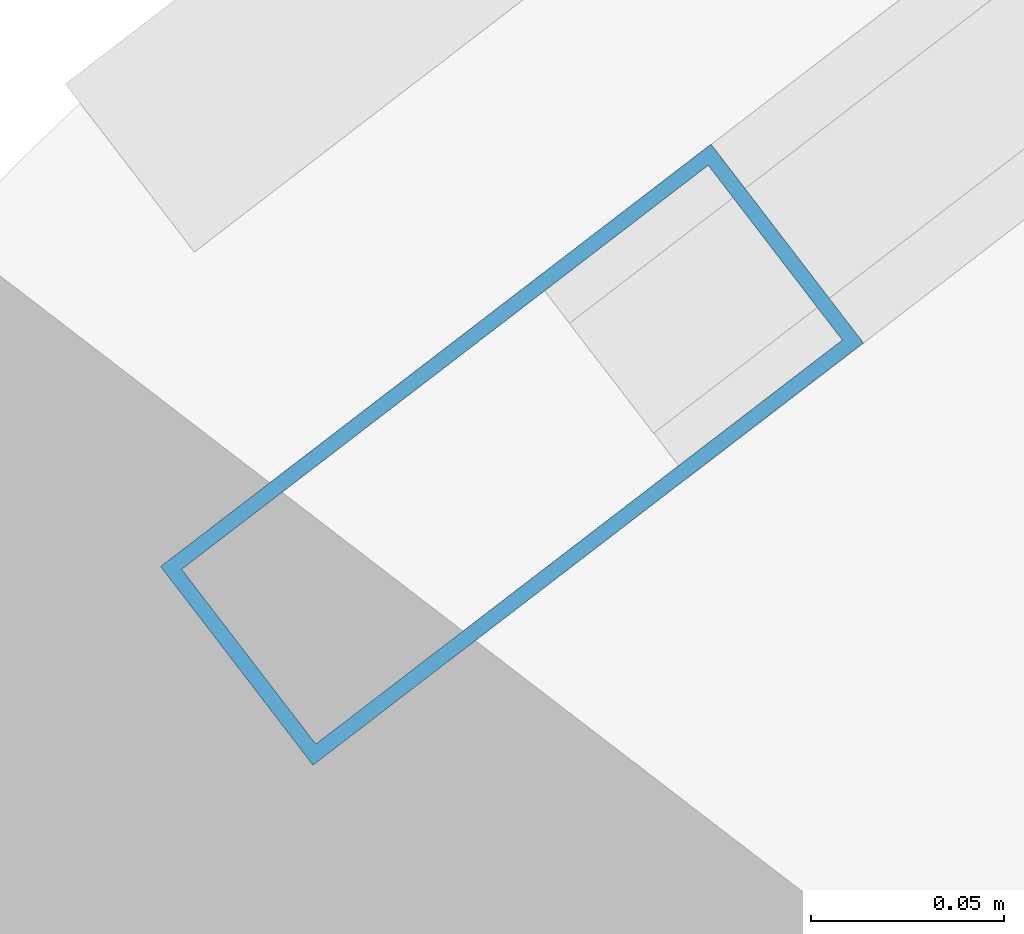
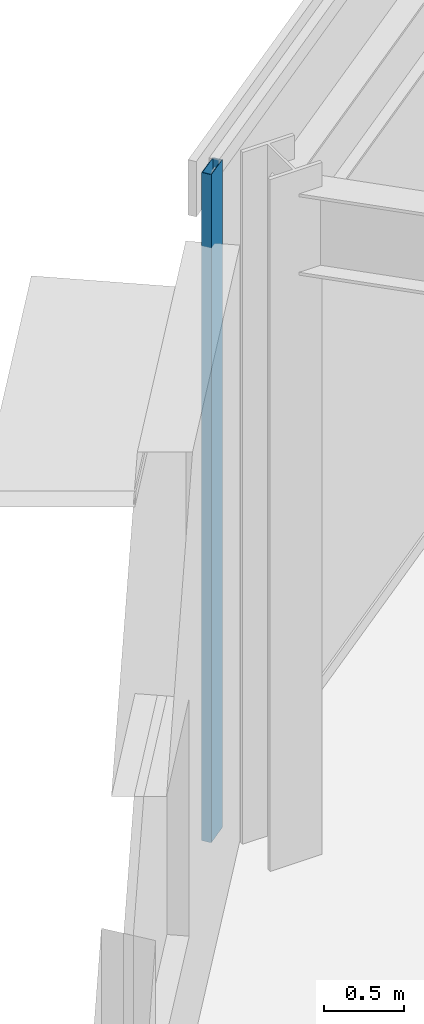
# One storey, part 69 of 168: 1 member, 1 element without a shape of its own.
"""IFC4 building model written with IfcOpenShell, lengths in metres."""

import ifcopenshell
import ifcopenshell.guid

model = None  # the IFC model being written
_history = None  # IfcOwnerHistory: only IFC2X3 demands one
_inside = {}  # id of a spatial element -> (the spatial element, [elements in it])
_under = {}  # id of a project, library or spatial element -> (it, [spatial elements below it])
_declared = {}  # id of a project -> (the project, [libraries it declares])
_typed = {}  # id of a type object -> (the type object, [elements of that type])
_made_of = {}  # id of a material, layer set ... -> (it, [elements and type objects made of it])


def new_model(schema):
    """Start an empty IFC model of exactly this schema.

    Asked for "IFC4X3", IfcOpenShell would pick the latest addendum, in which some entities
    have other attributes; the version numbers below select the first issue.
    IFC2X3 requires an IfcOwnerHistory on every rooted entity: one is made here for all.
    """
    global model, _history
    if schema == "IFC4X3":
        model = ifcopenshell.file(schema_version=(4, 3, 0, 0))
    else:
        model = ifcopenshell.file(schema=schema)
    _inside.clear()
    _under.clear()
    _declared.clear()
    _typed.clear()
    _made_of.clear()
    _history = None
    if model.schema == "IFC2X3":
        org = make("IfcOrganization", Name="unknown")
        user = make(
            "IfcPersonAndOrganization",
            ThePerson=make("IfcPerson", FamilyName="unknown"),
            TheOrganization=org,
        )
        app = make(
            "IfcApplication",
            ApplicationDeveloper=org,
            Version="unknown",
            ApplicationFullName="unknown",
            ApplicationIdentifier="unknown",
        )
        _history = make(
            "IfcOwnerHistory",
            OwningUser=user,
            OwningApplication=app,
            ChangeAction="ADDED",
            CreationDate=0,
        )
    return model


def make(cls, **values):
    """One entity of the class cls with the attributes given. An attribute that is None is left unset."""
    return model.create_entity(
        cls, **{name: value for name, value in values.items() if value is not None}
    )


def rooted(cls, **values):
    """An entity with a GlobalId (a new one), such as an element, a storey or a relation."""
    return make(cls, GlobalId=ifcopenshell.guid.new(), OwnerHistory=_history, **values)


def si_unit(unit_type, name, prefix=None):
    """IfcSIUnit, for example si_unit("LENGTHUNIT", "METRE", prefix="MILLI")."""
    return make("IfcSIUnit", UnitType=unit_type, Prefix=prefix, Name=name)


def assignment(units):
    """IfcUnitAssignment: the units of a project."""
    return None if units is None else make("IfcUnitAssignment", Units=units)


def point(xyz):
    """IfcCartesianPoint."""
    return None if xyz is None else make("IfcCartesianPoint", Coordinates=xyz)


def direction(xyz):
    """IfcDirection."""
    return None if xyz is None else make("IfcDirection", DirectionRatios=xyz)


def frame(location, z_axis=None, x_axis=None):
    """IfcAxis2Placement3D, a coordinate frame: its origin and axes. An axis left out is left unset."""
    return make(
        "IfcAxis2Placement3D",
        Location=point(location),
        Axis=direction(z_axis),
        RefDirection=direction(x_axis),
    )


def frame_2d(location, x_axis=None):
    """IfcAxis2Placement2D, a coordinate frame in the plane: its origin and x axis."""
    return make(
        "IfcAxis2Placement2D", Location=point(location), RefDirection=direction(x_axis)
    )


def origin():
    """The frame at (0, 0, 0) with its axes left unset."""
    return frame((0.0, 0.0, 0.0))


def origin_2d():
    """The frame at (0, 0) in the plane with its x axis left unset."""
    return frame_2d((0.0, 0.0))


def place(relative_to, where):
    """IfcLocalPlacement: puts the frame where relative to a parent placement (None: the world)."""
    return make(
        "IfcLocalPlacement", PlacementRelTo=relative_to, RelativePlacement=where
    )


def context(
    kind, dimensions, precision=None, world=None, true_north=None, identifier=None
):
    """IfcGeometricRepresentationContext, for example the 3D "Model" context."""
    return make(
        "IfcGeometricRepresentationContext",
        ContextIdentifier=identifier,
        ContextType=kind,
        CoordinateSpaceDimension=dimensions,
        Precision=precision,
        WorldCoordinateSystem=world,
        TrueNorth=true_north,
    )


def subcontext(parent, identifier, kind, view, scale=None):
    """IfcGeometricRepresentationSubContext, for example "Body" below "Model"."""
    return make(
        "IfcGeometricRepresentationSubContext",
        ContextIdentifier=identifier,
        ContextType=kind,
        ParentContext=parent,
        TargetScale=scale,
        TargetView=view,
    )


def project(units=None, contexts=None):
    """IfcProject with its units and contexts."""
    return rooted(
        "IfcProject",
        Name="project",
        RepresentationContexts=contexts,
        UnitsInContext=assignment(units),
    )


def spatial(cls, under=None, at=None, **own):
    """A site, building, storey or space (cls), placed at a placement, below another one or the project."""
    s = rooted(cls, ObjectPlacement=at, **own)
    if under is not None:
        _under.setdefault(under.id(), (under, []))[1].append(s)
    return s


def profile(cls, at=None, kind="AREA", **sizes):
    """A parametric profile (cls). Its sizes go by their IFC names, for example OverallWidth=200.0."""
    return make(cls, ProfileType=kind, Position=at, **sizes)


def hollow_rectangle(**sizes):
    """IfcRectangleHollowProfileDef."""
    return profile("IfcRectangleHollowProfileDef", **sizes)


def extrude(swept, where, along, depth):
    """IfcExtrudedAreaSolid: the profile swept, set in the frame where, extruded along a direction by depth."""
    return make(
        "IfcExtrudedAreaSolid",
        SweptArea=swept,
        Position=where,
        ExtrudedDirection=direction(along),
        Depth=depth,
    )


def shape(context_of_items, identifier, shape_type, items):
    """IfcShapeRepresentation: the items that make up one representation, for example the "Body"."""
    return make(
        "IfcShapeRepresentation",
        ContextOfItems=context_of_items,
        RepresentationIdentifier=identifier,
        RepresentationType=shape_type,
        Items=items,
    )


def material(Name=None, Category=None):
    """IfcMaterial."""
    return make("IfcMaterial", Name=Name, Category=Category)


def material_profile(
    of_material, cross_section, Name=None, Category=None, Priority=None
):
    """IfcMaterialProfile: a cross section and its material."""
    return make(
        "IfcMaterialProfile",
        Name=Name,
        Material=of_material,
        Profile=cross_section,
        Priority=Priority,
        Category=Category,
    )


def profile_set(profiles, Name=None, composite=None):
    """IfcMaterialProfileSet."""
    return make(
        "IfcMaterialProfileSet",
        Name=Name,
        MaterialProfiles=profiles,
        CompositeProfile=composite,
    )


def made_of(thing, what):
    """Note that an element or type object is made of a material, layer set ...; save() writes the relation."""
    if what is not None:
        _made_of.setdefault(what.id(), (what, []))[1].append(thing)
    return thing


def type_object(cls, material=None, **own):
    """A type object (cls), such as IfcWallType, which elements share."""
    return made_of(rooted(cls, **own), material)


def element(
    cls,
    number,
    at=None,
    inside=None,
    cuts=None,
    type_object=None,
    material=None,
    context=None,
    identifier="Body",
    shape_type=None,
    held_by="IfcProductDefinitionShape",
    body=None,
    shapes=None,
    **own,
):
    """One element of the class cls, such as IfcWall. Its Tag is "e" and its number.

    at: its placement. inside: the storey or other place that contains it. cuts: it is an
    opening in that element (IfcRelVoidsElement). A single representation is given by context,
    identifier, shape_type and body (its items); several are given by shapes. held_by: the class
    of the entity that holds the representations. save() writes the other relations.
    """
    e = rooted(cls, Tag="e%d" % number, ObjectPlacement=at, **own)
    if body is not None:
        shapes = [shape(context, identifier, shape_type, body)]
    if shapes is not None:
        e.Representation = make(held_by, Representations=shapes)
    if inside is not None:
        _inside.setdefault(inside.id(), (inside, []))[1].append(e)
    if cuts is not None:
        rooted(
            "IfcRelVoidsElement", RelatingBuildingElement=cuts, RelatedOpeningElement=e
        )
    if type_object is not None:
        _typed.setdefault(type_object.id(), (type_object, []))[1].append(e)
    return made_of(e, material)


def aggregate(whole, parts):
    """IfcRelAggregates: a whole, such as a stair, and the parts it consists of."""
    return rooted("IfcRelAggregates", RelatingObject=whole, RelatedObjects=parts)


def save(model, path):
    """Write the relations noted so far, then the file.

    IfcRelAggregates (storeys below a building ...), IfcRelContainedInSpatialStructure (elements
    in a storey), IfcRelDefinesByType, IfcRelAssociatesMaterial and IfcRelDeclares: one each for
    every whole, place, type object, material and project.
    """
    for whole, parts in _under.values():
        aggregate(whole, parts)
    for where, things in _inside.values():
        rooted(
            "IfcRelContainedInSpatialStructure",
            RelatedElements=things,
            RelatingStructure=where,
        )
    for kind, things in _typed.values():
        rooted("IfcRelDefinesByType", RelatedObjects=things, RelatingType=kind)
    for what, things in _made_of.values():
        rooted("IfcRelAssociatesMaterial", RelatedObjects=things, RelatingMaterial=what)
    for by, libraries in _declared.values():
        rooted("IfcRelDeclares", RelatingContext=by, RelatedDefinitions=libraries)
    model.write(path)


model = new_model("IFC4")

# Units and contexts
model_context = context("Model", 3, precision=1e-05, world=origin(), true_north=direction((0.0, 1.0)))
body_context = subcontext(model_context, "Body", "Model", "MODEL_VIEW")
ifc_project = project(units=[si_unit("LENGTHUNIT", "METRE"), si_unit("AREAUNIT", "SQUARE_METRE"), si_unit("VOLUMEUNIT", "CUBIC_METRE"), si_unit("PLANEANGLEUNIT", "RADIAN"), si_unit("MASSUNIT", "GRAM", prefix="KILO")], contexts=[model_context])

# Site, building, storey
site_placement = place(None, origin())
site = spatial("IfcSite", under=ifc_project, at=site_placement, CompositionType="ELEMENT")
building_placement = place(site_placement, origin())
building = spatial("IfcBuilding", under=site, at=building_placement, Name="Almandine Court Research Institute", CompositionType="ELEMENT")
storey_placement = place(building_placement, origin())
storey = spatial("IfcBuildingStorey", under=building, at=storey_placement, Name="L00", CompositionType="ELEMENT", Elevation=0.0)

# Curtain wall, member
ifc_material_1 = material(Name="Unitised Curtain Wall Framing and Solar Glazing", Category="glass")
curtain_wall_type = type_object("IfcCurtainWallType", Name="CW-CWJ-17", PredefinedType="USERDEFINED", material=ifc_material_1)
curtain_wall_placement = place(storey_placement, origin())
curtain_wall = element("IfcCurtainWall", 1, at=curtain_wall_placement, inside=storey, type_object=curtain_wall_type, Name="L00 Stacked-Ring Drum Outer Solar Jali Screen 08", ObjectType="SOLAR JALI SCREEN", PredefinedType="USERDEFINED")
ifc_material_2 = material(Name="Anodised Aluminium AW-6063-T6", Category="aluminium")
ifc_material_profile = material_profile(ifc_material_2, hollow_rectangle(XDim=0.06494140625, YDim=0.179931640625, WallThickness=0.00390625, at=origin_2d()), Name="ALU RHS 65x180x4")
ifc_profile_set = profile_set([ifc_material_profile], Name="Anodised Aluminium AW-6063-T6")
member_type = type_object("IfcMemberType", Name="CWMul-65x180", PredefinedType="MULLION", material=ifc_profile_set)
member_placement = place(storey_placement, frame((52.125732421875, 90.92578125, 0.0), z_axis=(0.0, 0.0, 1.0), x_axis=(-0.608723313303, 0.793382586046, 0.0)))
member = element("IfcMember", 2, at=member_placement, type_object=member_type, Name="CWJ-17 mullion 1", PredefinedType="MULLION", context=body_context, shape_type="SweptSolid", body=[
    extrude(hollow_rectangle(XDim=0.06494140625, YDim=0.179931640625, WallThickness=0.00390625, at=origin_2d()), origin(), (0.0, 0.0, 1.0), 5.070068359375),
])
aggregate(curtain_wall, [member])

save(model, "model.ifc")
